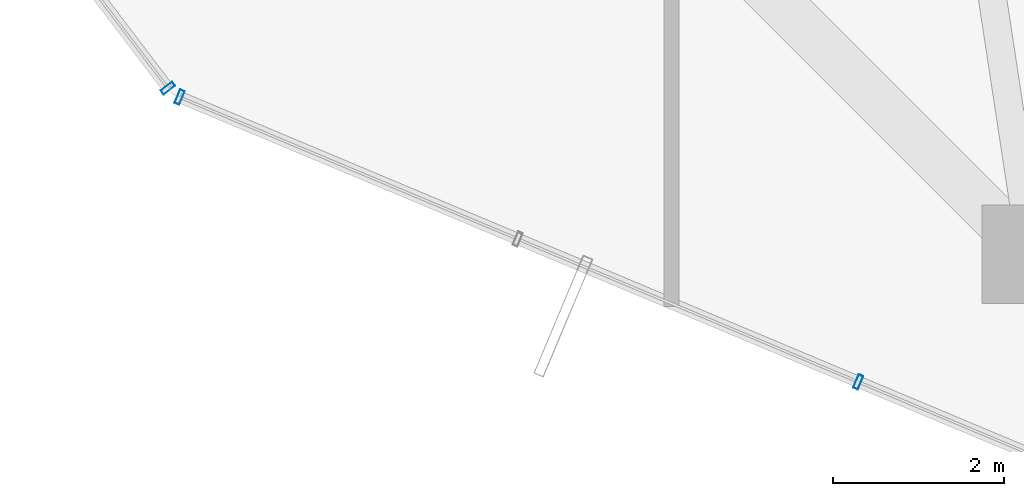
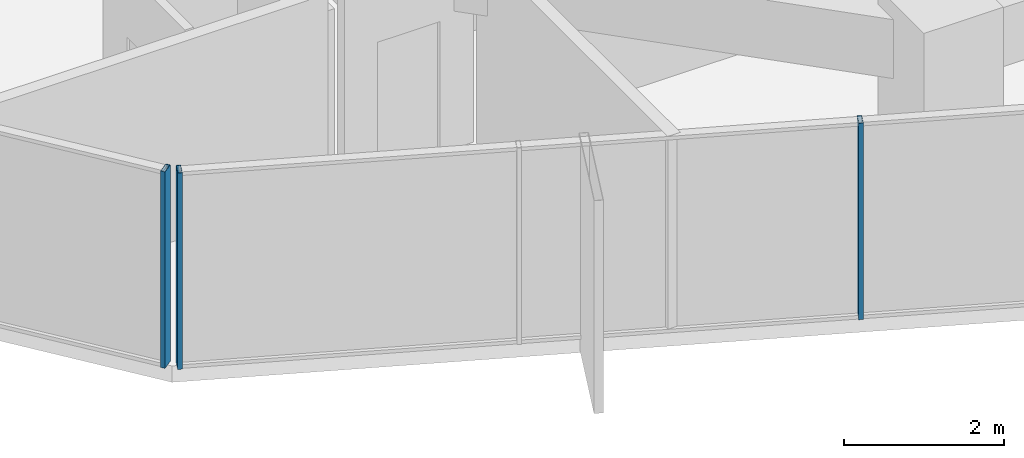
# One storey, part 2 of 33: 3 members, 2 elements without a shape of their own.
"""IFC4 building model written with IfcOpenShell, lengths in metres."""

import ifcopenshell
import ifcopenshell.guid

model = None  # the IFC model being written
_history = None  # IfcOwnerHistory: only IFC2X3 demands one
_inside = {}  # id of a spatial element -> (the spatial element, [elements in it])
_under = {}  # id of a project, library or spatial element -> (it, [spatial elements below it])
_declared = {}  # id of a project -> (the project, [libraries it declares])
_typed = {}  # id of a type object -> (the type object, [elements of that type])
_made_of = {}  # id of a material, layer set ... -> (it, [elements and type objects made of it])


def new_model(schema):
    """Start an empty IFC model of exactly this schema.

    Asked for "IFC4X3", IfcOpenShell would pick the latest addendum, in which some entities
    have other attributes; the version numbers below select the first issue.
    IFC2X3 requires an IfcOwnerHistory on every rooted entity: one is made here for all.
    """
    global model, _history
    if schema == "IFC4X3":
        model = ifcopenshell.file(schema_version=(4, 3, 0, 0))
    else:
        model = ifcopenshell.file(schema=schema)
    _inside.clear()
    _under.clear()
    _declared.clear()
    _typed.clear()
    _made_of.clear()
    _history = None
    if model.schema == "IFC2X3":
        org = make("IfcOrganization", Name="unknown")
        user = make(
            "IfcPersonAndOrganization",
            ThePerson=make("IfcPerson", FamilyName="unknown"),
            TheOrganization=org,
        )
        app = make(
            "IfcApplication",
            ApplicationDeveloper=org,
            Version="unknown",
            ApplicationFullName="unknown",
            ApplicationIdentifier="unknown",
        )
        _history = make(
            "IfcOwnerHistory",
            OwningUser=user,
            OwningApplication=app,
            ChangeAction="ADDED",
            CreationDate=0,
        )
    return model


def make(cls, **values):
    """One entity of the class cls with the attributes given. An attribute that is None is left unset."""
    return model.create_entity(
        cls, **{name: value for name, value in values.items() if value is not None}
    )


def rooted(cls, **values):
    """An entity with a GlobalId (a new one), such as an element, a storey or a relation."""
    return make(cls, GlobalId=ifcopenshell.guid.new(), OwnerHistory=_history, **values)


def si_unit(unit_type, name, prefix=None):
    """IfcSIUnit, for example si_unit("LENGTHUNIT", "METRE", prefix="MILLI")."""
    return make("IfcSIUnit", UnitType=unit_type, Prefix=prefix, Name=name)


def assignment(units):
    """IfcUnitAssignment: the units of a project."""
    return None if units is None else make("IfcUnitAssignment", Units=units)


def point(xyz):
    """IfcCartesianPoint."""
    return None if xyz is None else make("IfcCartesianPoint", Coordinates=xyz)


def direction(xyz):
    """IfcDirection."""
    return None if xyz is None else make("IfcDirection", DirectionRatios=xyz)


def frame(location, z_axis=None, x_axis=None):
    """IfcAxis2Placement3D, a coordinate frame: its origin and axes. An axis left out is left unset."""
    return make(
        "IfcAxis2Placement3D",
        Location=point(location),
        Axis=direction(z_axis),
        RefDirection=direction(x_axis),
    )


def frame_2d(location, x_axis=None):
    """IfcAxis2Placement2D, a coordinate frame in the plane: its origin and x axis."""
    return make(
        "IfcAxis2Placement2D", Location=point(location), RefDirection=direction(x_axis)
    )


def origin():
    """The frame at (0, 0, 0) with its axes left unset."""
    return frame((0.0, 0.0, 0.0))


def origin_2d():
    """The frame at (0, 0) in the plane with its x axis left unset."""
    return frame_2d((0.0, 0.0))


def place(relative_to, where):
    """IfcLocalPlacement: puts the frame where relative to a parent placement (None: the world)."""
    return make(
        "IfcLocalPlacement", PlacementRelTo=relative_to, RelativePlacement=where
    )


def context(
    kind, dimensions, precision=None, world=None, true_north=None, identifier=None
):
    """IfcGeometricRepresentationContext, for example the 3D "Model" context."""
    return make(
        "IfcGeometricRepresentationContext",
        ContextIdentifier=identifier,
        ContextType=kind,
        CoordinateSpaceDimension=dimensions,
        Precision=precision,
        WorldCoordinateSystem=world,
        TrueNorth=true_north,
    )


def subcontext(parent, identifier, kind, view, scale=None):
    """IfcGeometricRepresentationSubContext, for example "Body" below "Model"."""
    return make(
        "IfcGeometricRepresentationSubContext",
        ContextIdentifier=identifier,
        ContextType=kind,
        ParentContext=parent,
        TargetScale=scale,
        TargetView=view,
    )


def project(units=None, contexts=None):
    """IfcProject with its units and contexts."""
    return rooted(
        "IfcProject",
        Name="project",
        RepresentationContexts=contexts,
        UnitsInContext=assignment(units),
    )


def spatial(cls, under=None, at=None, **own):
    """A site, building, storey or space (cls), placed at a placement, below another one or the project."""
    s = rooted(cls, ObjectPlacement=at, **own)
    if under is not None:
        _under.setdefault(under.id(), (under, []))[1].append(s)
    return s


def profile(cls, at=None, kind="AREA", **sizes):
    """A parametric profile (cls). Its sizes go by their IFC names, for example OverallWidth=200.0."""
    return make(cls, ProfileType=kind, Position=at, **sizes)


def hollow_rectangle(**sizes):
    """IfcRectangleHollowProfileDef."""
    return profile("IfcRectangleHollowProfileDef", **sizes)


def extrude(swept, where, along, depth):
    """IfcExtrudedAreaSolid: the profile swept, set in the frame where, extruded along a direction by depth."""
    return make(
        "IfcExtrudedAreaSolid",
        SweptArea=swept,
        Position=where,
        ExtrudedDirection=direction(along),
        Depth=depth,
    )


def shape(context_of_items, identifier, shape_type, items):
    """IfcShapeRepresentation: the items that make up one representation, for example the "Body"."""
    return make(
        "IfcShapeRepresentation",
        ContextOfItems=context_of_items,
        RepresentationIdentifier=identifier,
        RepresentationType=shape_type,
        Items=items,
    )


def source(mapping_origin, context_of_items, identifier, shape_type, items):
    """IfcRepresentationMap: a shape defined once, which mapped items show again and again."""
    return make(
        "IfcRepresentationMap",
        MappingOrigin=mapping_origin,
        MappedRepresentation=shape(context_of_items, identifier, shape_type, items),
    )


def transform(
    local_origin,
    x_axis=None,
    y_axis=None,
    z_axis=None,
    scale=None,
    scale2=None,
    scale3=None,
    uniform=True,
):
    """IfcCartesianTransformationOperator3D, or its non-uniform kind. x_axis, y_axis, z_axis: its Axis1, 2, 3."""
    if uniform:
        return make(
            "IfcCartesianTransformationOperator3D",
            Axis1=direction(x_axis),
            Axis2=direction(y_axis),
            LocalOrigin=point(local_origin),
            Scale=scale,
            Axis3=direction(z_axis),
        )
    return make(
        "IfcCartesianTransformationOperator3DnonUniform",
        Axis1=direction(x_axis),
        Axis2=direction(y_axis),
        LocalOrigin=point(local_origin),
        Scale=scale,
        Axis3=direction(z_axis),
        Scale2=scale2,
        Scale3=scale3,
    )


def mapped(mapping_source, mapping_target):
    """IfcMappedItem: shows the shape of a source again, moved by a transform."""
    return make(
        "IfcMappedItem", MappingSource=mapping_source, MappingTarget=mapping_target
    )


def material(Name=None, Category=None):
    """IfcMaterial."""
    return make("IfcMaterial", Name=Name, Category=Category)


def layer(
    of_material, thickness, ventilated=None, Name=None, Category=None, Priority=None
):
    """IfcMaterialLayer: one layer of a wall or slab, of a material (None: an air gap)."""
    return make(
        "IfcMaterialLayer",
        Material=of_material,
        LayerThickness=thickness,
        IsVentilated=ventilated,
        Name=Name,
        Category=Category,
        Priority=Priority,
    )


def layer_set(layers, Name=None):
    """IfcMaterialLayerSet."""
    return make("IfcMaterialLayerSet", MaterialLayers=layers, LayerSetName=Name)


def material_profile(
    of_material, cross_section, Name=None, Category=None, Priority=None
):
    """IfcMaterialProfile: a cross section and its material."""
    return make(
        "IfcMaterialProfile",
        Name=Name,
        Material=of_material,
        Profile=cross_section,
        Priority=Priority,
        Category=Category,
    )


def profile_set(profiles, Name=None, composite=None):
    """IfcMaterialProfileSet."""
    return make(
        "IfcMaterialProfileSet",
        Name=Name,
        MaterialProfiles=profiles,
        CompositeProfile=composite,
    )


def made_of(thing, what):
    """Note that an element or type object is made of a material, layer set ...; save() writes the relation."""
    if what is not None:
        _made_of.setdefault(what.id(), (what, []))[1].append(thing)
    return thing


def type_object(cls, material=None, **own):
    """A type object (cls), such as IfcWallType, which elements share."""
    return made_of(rooted(cls, **own), material)


def element(
    cls,
    number,
    at=None,
    inside=None,
    cuts=None,
    type_object=None,
    material=None,
    context=None,
    identifier="Body",
    shape_type=None,
    held_by="IfcProductDefinitionShape",
    body=None,
    shapes=None,
    **own,
):
    """One element of the class cls, such as IfcWall. Its Tag is "e" and its number.

    at: its placement. inside: the storey or other place that contains it. cuts: it is an
    opening in that element (IfcRelVoidsElement). A single representation is given by context,
    identifier, shape_type and body (its items); several are given by shapes. held_by: the class
    of the entity that holds the representations. save() writes the other relations.
    """
    e = rooted(cls, Tag="e%d" % number, ObjectPlacement=at, **own)
    if body is not None:
        shapes = [shape(context, identifier, shape_type, body)]
    if shapes is not None:
        e.Representation = make(held_by, Representations=shapes)
    if inside is not None:
        _inside.setdefault(inside.id(), (inside, []))[1].append(e)
    if cuts is not None:
        rooted(
            "IfcRelVoidsElement", RelatingBuildingElement=cuts, RelatedOpeningElement=e
        )
    if type_object is not None:
        _typed.setdefault(type_object.id(), (type_object, []))[1].append(e)
    return made_of(e, material)


def aggregate(whole, parts):
    """IfcRelAggregates: a whole, such as a stair, and the parts it consists of."""
    return rooted("IfcRelAggregates", RelatingObject=whole, RelatedObjects=parts)


def save(model, path):
    """Write the relations noted so far, then the file.

    IfcRelAggregates (storeys below a building ...), IfcRelContainedInSpatialStructure (elements
    in a storey), IfcRelDefinesByType, IfcRelAssociatesMaterial and IfcRelDeclares: one each for
    every whole, place, type object, material and project.
    """
    for whole, parts in _under.values():
        aggregate(whole, parts)
    for where, things in _inside.values():
        rooted(
            "IfcRelContainedInSpatialStructure",
            RelatedElements=things,
            RelatingStructure=where,
        )
    for kind, things in _typed.values():
        rooted("IfcRelDefinesByType", RelatedObjects=things, RelatingType=kind)
    for what, things in _made_of.values():
        rooted("IfcRelAssociatesMaterial", RelatedObjects=things, RelatingMaterial=what)
    for by, libraries in _declared.values():
        rooted("IfcRelDeclares", RelatingContext=by, RelatedDefinitions=libraries)
    model.write(path)


model = new_model("IFC4")

# Units and contexts
model_context = context("Model", 3, precision=1e-05, world=origin(), true_north=direction((0.0, 1.0)))
body_context = subcontext(model_context, "Body", "Model", "MODEL_VIEW")
ifc_project = project(units=[si_unit("LENGTHUNIT", "METRE"), si_unit("AREAUNIT", "SQUARE_METRE"), si_unit("VOLUMEUNIT", "CUBIC_METRE"), si_unit("PLANEANGLEUNIT", "RADIAN"), si_unit("MASSUNIT", "GRAM", prefix="KILO")], contexts=[model_context])

# Site, building, storey
site_placement = place(None, origin())
site = spatial("IfcSite", under=ifc_project, at=site_placement, CompositionType="ELEMENT")
building_placement = place(site_placement, origin())
building = spatial("IfcBuilding", under=site, at=building_placement, Name="Veraguas Prism Commons", CompositionType="ELEMENT")
storey_placement = place(building_placement, frame((0.0, 0.0, 152.25)))
storey = spatial("IfcBuildingStorey", under=building, at=storey_placement, Name="L43", CompositionType="ELEMENT", Elevation=152.25)

# Curtain wall, members
ifc_material = material(Name="Anodised aluminium EN AW-6063 T6", Category="aluminium")
ifc_layer = layer(ifc_material, 0.169921875, Name="Unitised Flush Curtain Wall Zone 2", Category="aluminium")
ifc_layer_set = layer_set([ifc_layer], Name="Anodised aluminium EN AW-6063 T6")
curtain_wall_type = type_object("IfcCurtainWallType", Name="Unitised Flush Curtain Wall Zone 2", PredefinedType="NOTDEFINED", material=ifc_layer_set)
curtain_wall_1_placement = place(storey_placement, origin())
curtain_wall_1 = element("IfcCurtainWall", 1, at=curtain_wall_1_placement, inside=storey, type_object=curtain_wall_type, Name="Tower Facade Curtain Wall L43-F4", PredefinedType="NOTDEFINED")
ifc_material_profile = material_profile(ifc_material, hollow_rectangle(XDim=0.06005859375, YDim=0.169921875, WallThickness=0.00390625, at=origin_2d()), Name="AL60X170X4")
ifc_profile_set = profile_set([ifc_material_profile], Name="Anodised aluminium EN AW-6063 T6")
member_type = type_object("IfcMemberType", Name="Curtain Wall Mullion Lower AL 60x170x4", PredefinedType="MULLION", material=ifc_profile_set)
shared_shape = source(origin(), body_context, "Body", "SweptSolid", [
    extrude(hollow_rectangle(XDim=0.06005859375, YDim=0.169921875, WallThickness=0.00390625, at=origin_2d()), origin(), (0.0, 0.0, 1.0), 3.0),
])
member_1_placement = place(storey_placement, frame((8.66015625, 9.63330078125, 0.0), z_axis=(0.0, 0.0, 1.0), x_axis=(0.922132113386, -0.38687512903, 0.0)))
member_1 = element("IfcMember", 2, at=member_1_placement, type_object=member_type, Name="CW-Z2 Mullion 1", PredefinedType="MULLION", context=body_context, shape_type="MappedRepresentation", body=[
    mapped(shared_shape, transform((0.0, 0.0, 0.0), scale=1.0)),
])
member_2_placement = place(storey_placement, frame((16.578857421875, 6.311279296875, 0.0), z_axis=(0.0, 0.0, 1.0), x_axis=(0.922132113386, -0.38687512903, 0.0)))
member_2 = element("IfcMember", 3, at=member_2_placement, type_object=member_type, Name="CW-Z2 Mullion 3", PredefinedType="MULLION", context=body_context, shape_type="MappedRepresentation", body=[
    mapped(shared_shape, transform((0.0, 0.0, 0.0), scale=1.0)),
])
aggregate(curtain_wall_1, [member_1, member_2])

# Curtain wall, member
curtain_wall_2_placement = place(storey_placement, origin())
curtain_wall_2 = element("IfcCurtainWall", 4, at=curtain_wall_2_placement, inside=storey, type_object=curtain_wall_type, Name="Chamfer Curtain Wall L43-C4", PredefinedType="NOTDEFINED")
member_3_placement = place(storey_placement, frame((8.52294921875, 9.739990234375, 0.0), z_axis=(0.0, 0.0, 1.0), x_axis=(0.60517311322, -0.796093903403, 0.0)))
member_3 = element("IfcMember", 5, at=member_3_placement, type_object=member_type, Name="CW-Z2 Mullion 2", PredefinedType="MULLION", context=body_context, shape_type="MappedRepresentation", body=[
    mapped(shared_shape, transform((0.0, 0.0, 0.0), scale=1.0)),
])
aggregate(curtain_wall_2, [member_3])

save(model, "model.ifc")
